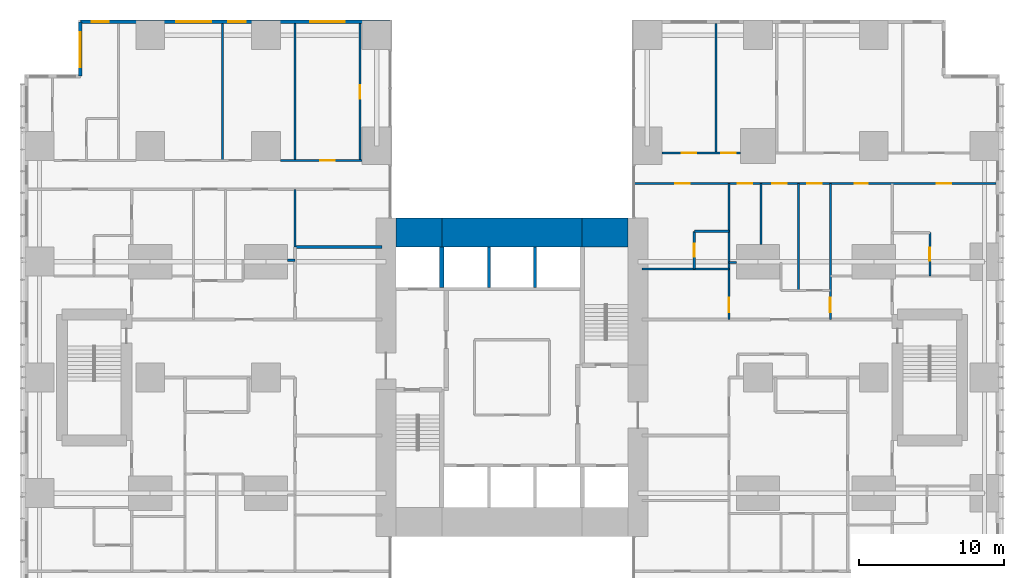
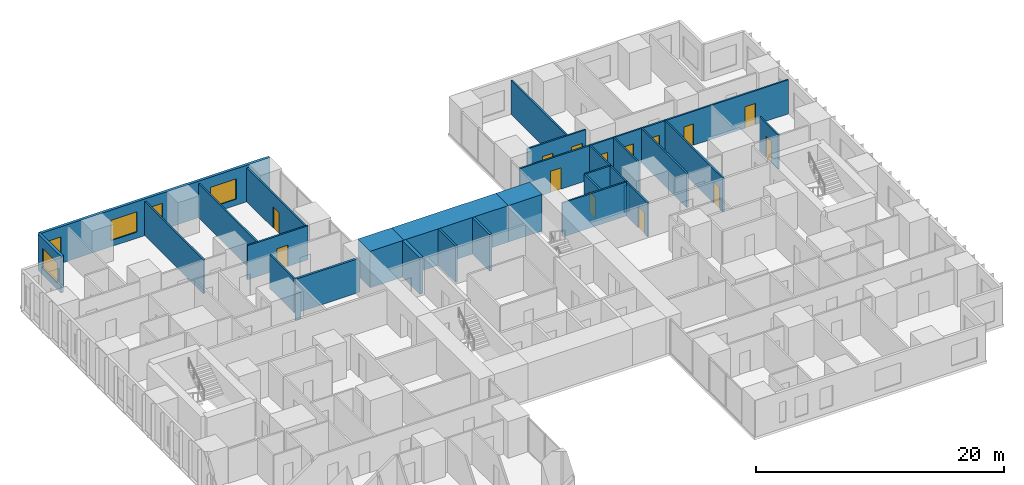
# One storey, part 17 of 20: 27 walls, 14 doors, 5 windows, 19 openings.
"""IFC4 building model written with IfcOpenShell, lengths in metres."""

from ifc_helpers import new_model, si_unit, direction, frame, frame_2d, origin, place, context, subcontext, project, spatial, rectangle, extrude, material, layer, layer_set, type_object, element, fill, save


model = new_model("IFC4")

# Units and contexts
model_context = context("Model", 3, precision=1e-05, world=origin(), true_north=direction((0.0, 1.0)))
body_context = subcontext(model_context, "Body", "Model", "MODEL_VIEW")
ifc_project = project(units=[si_unit("LENGTHUNIT", "METRE"), si_unit("AREAUNIT", "SQUARE_METRE"), si_unit("VOLUMEUNIT", "CUBIC_METRE"), si_unit("PLANEANGLEUNIT", "RADIAN"), si_unit("MASSUNIT", "GRAM", prefix="KILO")], contexts=[model_context])

# Site, building, storey
site_placement = place(None, origin())
site = spatial("IfcSite", under=ifc_project, at=site_placement, CompositionType="ELEMENT")
building_placement = place(site_placement, origin())
building = spatial("IfcBuilding", under=site, at=building_placement, Name="Cleftline Residences", CompositionType="ELEMENT")
storey_placement = place(building_placement, frame((0.0, 0.0, 33.199951171875)))
storey = spatial("IfcBuildingStorey", under=building, at=storey_placement, Name="L07", CompositionType="ELEMENT", Elevation=33.199951171875)

# Walls
ifc_material_1 = material(Name="Concrete B70", Category="concrete")
ifc_layer_1 = layer(ifc_material_1, 2.0)
ifc_layer_set_1 = layer_set([ifc_layer_1], Name="CORE WALL 2000")
wall_type_1 = type_object("IfcWallType", Name="CORE WALL 2000", PredefinedType="SHEAR", material=ifc_layer_set_1)
wall_1_placement = place(storey_placement, frame((25.0, 34.0, 0.0), z_axis=(0.0, 0.0, 1.0), x_axis=(1.0, 0.0, 0.0)))
element("IfcWall", 1, at=wall_1_placement, inside=storey, type_object=wall_type_1, Name="Core wall N1", PredefinedType="SHEAR", context=body_context, shape_type="SweptSolid", body=[
    extrude(rectangle(XDim=3.14990234375, YDim=2.0, at=frame_2d((1.574951171875, 0.0))), origin(), (0.0, 0.0, 1.0), 3.60009765625),
])
wall_2_placement = place(storey_placement, frame((28.14990234375, 34.0, 0.0), z_axis=(0.0, 0.0, 1.0), x_axis=(1.0, 0.0, 0.0)))
element("IfcWall", 2, at=wall_2_placement, inside=storey, type_object=wall_type_1, Name="Core wall N2", PredefinedType="SHEAR", context=body_context, shape_type="SweptSolid", body=[
    extrude(rectangle(XDim=9.7001953125, YDim=2.0, at=frame_2d((4.85009765625, 0.0))), origin(), (0.0, 0.0, 1.0), 3.60009765625),
])
wall_3_placement = place(storey_placement, frame((37.85009765625, 34.0, 0.0), z_axis=(0.0, 0.0, 1.0), x_axis=(1.0, 0.0, 0.0)))
element("IfcWall", 3, at=wall_3_placement, inside=storey, type_object=wall_type_1, Name="Core wall N3", PredefinedType="SHEAR", context=body_context, shape_type="SweptSolid", body=[
    extrude(rectangle(XDim=3.14990234375, YDim=2.0, at=frame_2d((1.574951171875, 0.0))), origin(), (0.0, 0.0, 1.0), 3.60009765625),
])
ifc_material_2 = material(Name="Concrete B70", Category="concrete")
ifc_layer_2 = layer(ifc_material_2, 0.300048828125)
ifc_layer_set_2 = layer_set([ifc_layer_2], Name="CORE WALL 300")
wall_type_2 = type_object("IfcWallType", Name="CORE WALL 300", PredefinedType="SHEAR", material=ifc_layer_set_2)
wall_4_placement = place(storey_placement, frame((28.14990234375, 30.199951171875, 0.0), z_axis=(0.0, 0.0, 1.0), x_axis=(0.0, 1.0, 0.0)))
element("IfcWall", 4, at=wall_4_placement, inside=storey, type_object=wall_type_2, Name="Lift shaft wall", PredefinedType="SHEAR", context=body_context, shape_type="SweptSolid", body=[
    extrude(rectangle(XDim=2.800048828125, YDim=0.300048828125, at=frame_2d((1.39990234375, 0.0))), origin(), (0.0, 0.0, 1.0), 3.60009765625),
])

# Wall, openings, windows
ifc_material_3 = material(Name="Rendered reinforced concrete blockwork", Category="masonry")
ifc_layer_3 = layer(ifc_material_3, 0.25)
ifc_layer_set_3 = layer_set([ifc_layer_3], Name="EXTERNAL WALL 250")
wall_type_3 = type_object("IfcWallType", Name="EXTERNAL WALL 250", PredefinedType="SOLIDWALL", material=ifc_layer_set_3)
wall_5_placement = place(storey_placement, frame((24.574951171875, 48.574951171875, 0.0), z_axis=(0.0, 0.0, 1.0), x_axis=(-1.0, 0.0, 0.0)))
wall_5 = element("IfcWall", 5, at=wall_5_placement, inside=storey, type_object=wall_type_3, Name="External wall", PredefinedType="SOLIDWALL", context=body_context, shape_type="SweptSolid", body=[
    extrude(rectangle(XDim=21.39990234375, YDim=0.25, at=frame_2d((10.699951171875, 0.0))), origin(), (0.0, 0.0, 1.0), 3.60009765625),
])
opening_1_placement = place(wall_5_placement, frame((3.125, 0.0, 0.60009765625)))
opening_1 = element("IfcOpeningElement", 6, at=opening_1_placement, cuts=wall_5, Name="Opening W6", PredefinedType="OPENING", context=body_context, shape_type="SweptSolid", body=[
    extrude(rectangle(XDim=2.39990234375, YDim=2.0, at=frame_2d((1.199951171875, 1.0))), frame((0.0, 0.135009765625, 0.0), z_axis=(0.0, -1.0, 0.0), x_axis=(1.0, 0.0, 0.0)), (0.0, 0.0, 1.0), 0.27001953125),
])
opening_2_placement = place(wall_5_placement, frame((9.97509765625, 0.0, 0.60009765625)))
opening_2 = element("IfcOpeningElement", 7, at=opening_2_placement, cuts=wall_5, Name="Opening W8", PredefinedType="OPENING", context=body_context, shape_type="SweptSolid", body=[
    extrude(rectangle(XDim=1.199951171875, YDim=2.0, at=frame_2d((0.60009765625, 1.0))), frame((0.0, 0.135009765625, 0.0), z_axis=(0.0, -1.0, 0.0), x_axis=(1.0, 0.0, 0.0)), (0.0, 0.0, 1.0), 0.27001953125),
])
opening_3_placement = place(wall_5_placement, frame((12.375, 0.0, 0.60009765625)))
opening_3 = element("IfcOpeningElement", 8, at=opening_3_placement, cuts=wall_5, Name="Opening W6", PredefinedType="OPENING", context=body_context, shape_type="SweptSolid", body=[
    extrude(rectangle(XDim=2.39990234375, YDim=2.0, at=frame_2d((1.199951171875, 1.0))), frame((0.0, 0.135009765625, 0.0), z_axis=(0.0, -1.0, 0.0), x_axis=(1.0, 0.0, 0.0)), (0.0, 0.0, 1.0), 0.27001953125),
])
opening_4_placement = place(wall_5_placement, frame((19.425048828125, 0.0, 0.60009765625)))
opening_4 = element("IfcOpeningElement", 9, at=opening_4_placement, cuts=wall_5, Name="Opening W8", PredefinedType="OPENING", context=body_context, shape_type="SweptSolid", body=[
    extrude(rectangle(XDim=1.199951171875, YDim=2.0, at=frame_2d((0.60009765625, 1.0))), frame((0.0, 0.135009765625, 0.0), z_axis=(0.0, -1.0, 0.0), x_axis=(1.0, 0.0, 0.0)), (0.0, 0.0, 1.0), 0.27001953125),
])
ifc_material_4 = material(Name="Aluminium frame, clear double glazing", Category="aluminium")
window_type_1 = type_object("IfcWindowType", Name="WINDOW 1200X2000", PartitioningType="DOUBLE_PANEL_VERTICAL", PredefinedType="WINDOW", material=ifc_material_4)
window_1_placement = place(opening_2_placement, origin())
window_1 = element("IfcWindow", 10, at=window_1_placement, inside=storey, type_object=window_type_1, Name="Window", OverallHeight=2.0, OverallWidth=1.199951171875, PartitioningType="SINGLE_PANEL", PredefinedType="WINDOW", context=body_context, shape_type="SweptSolid", body=[
    extrude(rectangle(XDim=1.199951171875, YDim=2.0, at=frame_2d((0.60009765625, 1.0))), frame((0.0, 0.030029296875, 0.0), z_axis=(0.0, -1.0, 0.0), x_axis=(1.0, 0.0, 0.0)), (0.0, 0.0, 1.0), 0.06005859375),
])
fill(opening_2, window_1)
window_2_placement = place(opening_4_placement, origin())
window_2 = element("IfcWindow", 11, at=window_2_placement, inside=storey, type_object=window_type_1, Name="Window", OverallHeight=2.0, OverallWidth=1.199951171875, PartitioningType="SINGLE_PANEL", PredefinedType="WINDOW", context=body_context, shape_type="SweptSolid", body=[
    extrude(rectangle(XDim=1.199951171875, YDim=2.0, at=frame_2d((0.60009765625, 1.0))), frame((0.0, 0.030029296875, 0.0), z_axis=(0.0, -1.0, 0.0), x_axis=(1.0, 0.0, 0.0)), (0.0, 0.0, 1.0), 0.06005859375),
])
fill(opening_4, window_2)
ifc_material_5 = material(Name="Aluminium frame, clear double glazing", Category="aluminium")
window_type_2 = type_object("IfcWindowType", Name="WINDOW 2400X2000", PartitioningType="DOUBLE_PANEL_VERTICAL", PredefinedType="WINDOW", material=ifc_material_5)
window_3_placement = place(opening_1_placement, origin())
window_3 = element("IfcWindow", 12, at=window_3_placement, inside=storey, type_object=window_type_2, Name="Window", OverallHeight=2.0, OverallWidth=2.39990234375, PartitioningType="SINGLE_PANEL", PredefinedType="WINDOW", context=body_context, shape_type="SweptSolid", body=[
    extrude(rectangle(XDim=2.39990234375, YDim=2.0, at=frame_2d((1.199951171875, 1.0))), frame((0.0, 0.030029296875, 0.0), z_axis=(0.0, -1.0, 0.0), x_axis=(1.0, 0.0, 0.0)), (0.0, 0.0, 1.0), 0.06005859375),
])
fill(opening_1, window_3)
window_4_placement = place(opening_3_placement, origin())
window_4 = element("IfcWindow", 13, at=window_4_placement, inside=storey, type_object=window_type_2, Name="Window", OverallHeight=2.0, OverallWidth=2.39990234375, PartitioningType="SINGLE_PANEL", PredefinedType="WINDOW", context=body_context, shape_type="SweptSolid", body=[
    extrude(rectangle(XDim=2.39990234375, YDim=2.0, at=frame_2d((1.199951171875, 1.0))), frame((0.0, 0.030029296875, 0.0), z_axis=(0.0, -1.0, 0.0), x_axis=(1.0, 0.0, 0.0)), (0.0, 0.0, 1.0), 0.06005859375),
])
fill(opening_3, window_4)

# Wall, opening, window
wall_6_placement = place(storey_placement, frame((3.175048828125, 48.574951171875, 0.0), z_axis=(0.0, 0.0, 1.0), x_axis=(0.0, -1.0, 0.0)))
wall_6 = element("IfcWall", 14, at=wall_6_placement, inside=storey, type_object=wall_type_3, Name="External wall", PredefinedType="SOLIDWALL", context=body_context, shape_type="SweptSolid", body=[
    extrude(rectangle(XDim=3.75, YDim=0.25, at=frame_2d((1.875, 0.0))), origin(), (0.0, 0.0, 1.0), 3.60009765625),
])
opening_5_placement = place(wall_6_placement, frame((0.737548828125, 0.0, 0.60009765625)))
opening_5 = element("IfcOpeningElement", 15, at=opening_5_placement, cuts=wall_6, Name="Opening W6", PredefinedType="OPENING", context=body_context, shape_type="SweptSolid", body=[
    extrude(rectangle(XDim=2.39990234375, YDim=2.0, at=frame_2d((1.199951171875, 1.0))), frame((0.0, 0.135009765625, 0.0), z_axis=(0.0, -1.0, 0.0), x_axis=(1.0, 0.0, 0.0)), (0.0, 0.0, 1.0), 0.27001953125),
])
window_5_placement = place(opening_5_placement, origin())
window_5 = element("IfcWindow", 16, at=window_5_placement, inside=storey, type_object=window_type_2, Name="Window", OverallHeight=2.0, OverallWidth=2.39990234375, PartitioningType="SINGLE_PANEL", PredefinedType="WINDOW", context=body_context, shape_type="SweptSolid", body=[
    extrude(rectangle(XDim=2.39990234375, YDim=2.0, at=frame_2d((1.199951171875, 1.0))), frame((0.0, 0.030029296875, 0.0), z_axis=(0.0, -1.0, 0.0), x_axis=(1.0, 0.0, 0.0)), (0.0, 0.0, 1.0), 0.06005859375),
])
fill(opening_5, window_5)

# Walls
ifc_material_6 = material(Name="Concrete blockwork, fire rated", Category="masonry")
ifc_layer_4 = layer(ifc_material_6, 0.199951171875)
ifc_layer_set_4 = layer_set([ifc_layer_4], Name="FIRE WALL 200")
wall_type_4 = type_object("IfcWallType", Name="FIRE WALL 200", PredefinedType="PARTITIONING", material=ifc_layer_set_4)
wall_7_placement = place(storey_placement, frame((18.0, 33.0, 0.0), z_axis=(0.0, 0.0, 1.0), x_axis=(1.0, 0.0, 0.0)))
element("IfcWall", 17, at=wall_7_placement, inside=storey, type_object=wall_type_4, Name="Fire separating wall", PredefinedType="PARTITIONING", context=body_context, shape_type="SweptSolid", body=[
    extrude(rectangle(XDim=6.0, YDim=0.199951171875, at=frame_2d((3.0, 0.0))), origin(), (0.0, 0.0, 1.0), 3.35009765625),
])
ifc_material_7 = material(Name="Gypsum board on steel studs", Category="steel")
ifc_layer_5 = layer(ifc_material_7, 0.14990234375)
ifc_layer_set_5 = layer_set([ifc_layer_5], Name="PARTITION 150")
wall_type_5 = type_object("IfcWallType", Name="PARTITION 150", PredefinedType="PARTITIONING", material=ifc_layer_set_5)
wall_8_placement = place(storey_placement, frame((42.0, 31.5, 0.0), z_axis=(0.0, 0.0, 1.0), x_axis=(1.0, 0.0, 0.0)))
element("IfcWall", 18, at=wall_8_placement, inside=storey, type_object=wall_type_5, Name="Partition", PredefinedType="PARTITIONING", context=body_context, shape_type="SweptSolid", body=[
    extrude(rectangle(XDim=6.0, YDim=0.14990234375, at=frame_2d((3.0, 0.0))), origin(), (0.0, 0.0, 1.0), 3.35009765625),
])
for number, where, z_axis, x_axis, name in (
    (19, (48.0, 31.949951171875, 0.0), (0.0, 0.0, 1.0), (1.0, 0.0, 0.0), "Partition"),
    (20, (17.5, 32.10009765625, 0.0), (0.0, 0.0, 1.0), (1.0, 0.0, 0.0), "Partition"),
):
    element("IfcWall", number, at=place(storey_placement, frame(where, z_axis=z_axis, x_axis=x_axis)), inside=storey, type_object=wall_type_5, Name=name, PredefinedType="PARTITIONING", context=body_context, shape_type="SweptSolid", body=[
        extrude(rectangle(XDim=0.5, YDim=0.14990234375, at=frame_2d((0.25, 0.0))), origin(), (0.0, 0.0, 1.0), 2.634033203125),
    ])
wall_9_placement = place(storey_placement, frame((45.60009765625, 34.10009765625, 0.0), z_axis=(0.0, 0.0, 1.0), x_axis=(1.0, 0.0, 0.0)))
element("IfcWall", 21, at=wall_9_placement, inside=storey, type_object=wall_type_5, Name="Partition", PredefinedType="PARTITIONING", context=body_context, shape_type="SweptSolid", body=[
    extrude(rectangle(XDim=2.39990234375, YDim=0.14990234375, at=frame_2d((1.199951171875, 0.0))), origin(), (0.0, 0.0, 1.0), 3.35009765625),
])

# Wall, openings, doors
wall_10_placement = place(storey_placement, frame((41.43896484375, 37.39990234375, 0.0), z_axis=(0.0, 0.0, 1.0), x_axis=(1.0, 0.0, 0.0)))
wall_10 = element("IfcWall", 22, at=wall_10_placement, inside=storey, type_object=wall_type_5, Name="Partition", PredefinedType="PARTITIONING", context=body_context, shape_type="SweptSolid", body=[
    extrude(rectangle(XDim=25.010986328125, YDim=0.14990234375, at=frame_2d((12.50537109375, 0.0))), origin(), (0.0, 0.0, 1.0), 3.35009765625),
])
opening_6_placement = place(wall_10_placement, frame((11.9609375, 0.0, 0.0)))
opening_6 = element("IfcOpeningElement", 23, at=opening_6_placement, cuts=wall_10, Name="Opening D2F30", PredefinedType="OPENING", context=body_context, shape_type="SweptSolid", body=[
    extrude(rectangle(XDim=1.0, YDim=2.10009765625, at=frame_2d((0.5, 1.050048828125))), frame((0.0, 0.0849609375, 0.0), z_axis=(0.0, -1.0, 0.0), x_axis=(1.0, 0.0, 0.0)), (0.0, 0.0, 1.0), 0.169921875),
])
opening_7_placement = place(wall_10_placement, frame((20.923583984375, 0.0, 0.0)))
opening_7 = element("IfcOpeningElement", 24, at=opening_7_placement, cuts=wall_10, Name="Opening D2F30", PredefinedType="OPENING", context=body_context, shape_type="SweptSolid", body=[
    extrude(rectangle(XDim=1.0, YDim=2.10009765625, at=frame_2d((0.5, 1.050048828125))), frame((0.0, 0.0849609375, 0.0), z_axis=(0.0, -1.0, 0.0), x_axis=(1.0, 0.0, 0.0)), (0.0, 0.0, 1.0), 0.169921875),
])
opening_8_placement = place(wall_10_placement, frame((15.24853515625, 0.0, 0.0)))
opening_8 = element("IfcOpeningElement", 25, at=opening_8_placement, cuts=wall_10, Name="Opening D1F30", PredefinedType="OPENING", context=body_context, shape_type="SweptSolid", body=[
    extrude(rectangle(XDim=0.89990234375, YDim=2.10009765625, at=frame_2d((0.449951171875, 1.050048828125))), frame((0.0, 0.0849609375, 0.0), z_axis=(0.0, -1.0, 0.0), x_axis=(1.0, 0.0, 0.0)), (0.0, 0.0, 1.0), 0.169921875),
])
opening_9_placement = place(wall_10_placement, frame((9.56103515625, 0.0, 0.0)))
opening_9 = element("IfcOpeningElement", 26, at=opening_9_placement, cuts=wall_10, Name="Opening D2F30", PredefinedType="OPENING", context=body_context, shape_type="SweptSolid", body=[
    extrude(rectangle(XDim=1.0, YDim=2.10009765625, at=frame_2d((0.5, 1.050048828125))), frame((0.0, 0.0849609375, 0.0), z_axis=(0.0, -1.0, 0.0), x_axis=(1.0, 0.0, 0.0)), (0.0, 0.0, 1.0), 0.169921875),
])
opening_10_placement = place(wall_10_placement, frame((7.160888671875, 0.0, 0.0)))
opening_10 = element("IfcOpeningElement", 27, at=opening_10_placement, cuts=wall_10, Name="Opening D2F30", PredefinedType="OPENING", context=body_context, shape_type="SweptSolid", body=[
    extrude(rectangle(XDim=1.0, YDim=2.10009765625, at=frame_2d((0.5, 1.050048828125))), frame((0.0, 0.0849609375, 0.0), z_axis=(0.0, -1.0, 0.0), x_axis=(1.0, 0.0, 0.0)), (0.0, 0.0, 1.0), 0.169921875),
])
opening_11_placement = place(wall_10_placement, frame((2.8359375, 0.0, 0.0)))
opening_11 = element("IfcOpeningElement", 28, at=opening_11_placement, cuts=wall_10, Name="Opening D2F30", PredefinedType="OPENING", context=body_context, shape_type="SweptSolid", body=[
    extrude(rectangle(XDim=1.0, YDim=2.10009765625, at=frame_2d((0.5, 1.050048828125))), frame((0.0, 0.0849609375, 0.0), z_axis=(0.0, -1.0, 0.0), x_axis=(1.0, 0.0, 0.0)), (0.0, 0.0, 1.0), 0.169921875),
])
ifc_material_8 = material(Name="Timber veneer on solid core", Category="wood")
door_type_1 = type_object("IfcDoorType", Name="DOOR 1000X2100 EI 30", OperationType="SINGLE_SWING_LEFT", PredefinedType="DOOR", material=ifc_material_8)
door_1_placement = place(opening_6_placement, origin())
door_1 = element("IfcDoor", 29, at=door_1_placement, inside=storey, type_object=door_type_1, Name="Door to residence hall (gallery)", OperationType="SINGLE_SWING_RIGHT", OverallHeight=2.10009765625, OverallWidth=1.0, PredefinedType="DOOR", context=body_context, shape_type="SweptSolid", body=[
    extrude(rectangle(XDim=1.0, YDim=2.10009765625, at=frame_2d((0.5, 1.050048828125))), frame((0.0, 0.02490234375, 0.0), z_axis=(0.0, -1.0, 0.0), x_axis=(1.0, 0.0, 0.0)), (0.0, 0.0, 1.0), 0.050048828125),
])
fill(opening_6, door_1)
door_2_placement = place(opening_7_placement, origin())
door_2 = element("IfcDoor", 30, at=door_2_placement, inside=storey, type_object=door_type_1, Name="Door to master bedroom", OperationType="SINGLE_SWING_LEFT", OverallHeight=2.10009765625, OverallWidth=1.0, PredefinedType="DOOR", context=body_context, shape_type="SweptSolid", body=[
    extrude(rectangle(XDim=1.0, YDim=2.10009765625, at=frame_2d((0.5, 1.050048828125))), frame((0.0, 0.02490234375, 0.0), z_axis=(0.0, -1.0, 0.0), x_axis=(1.0, 0.0, 0.0)), (0.0, 0.0, 1.0), 0.050048828125),
])
fill(opening_7, door_2)
door_3_placement = place(opening_9_placement, origin())
door_3 = element("IfcDoor", 31, at=door_3_placement, inside=storey, type_object=door_type_1, Name="Door to dining room", OperationType="SINGLE_SWING_RIGHT", OverallHeight=2.10009765625, OverallWidth=1.0, PredefinedType="DOOR", context=body_context, shape_type="SweptSolid", body=[
    extrude(rectangle(XDim=1.0, YDim=2.10009765625, at=frame_2d((0.5, 1.050048828125))), frame((0.0, 0.02490234375, 0.0), z_axis=(0.0, -1.0, 0.0), x_axis=(1.0, 0.0, 0.0)), (0.0, 0.0, 1.0), 0.050048828125),
])
fill(opening_9, door_3)
door_4_placement = place(opening_10_placement, origin())
door_4 = element("IfcDoor", 32, at=door_4_placement, inside=storey, type_object=door_type_1, Name="Door to show kitchen", OperationType="SINGLE_SWING_RIGHT", OverallHeight=2.10009765625, OverallWidth=1.0, PredefinedType="DOOR", context=body_context, shape_type="SweptSolid", body=[
    extrude(rectangle(XDim=1.0, YDim=2.10009765625, at=frame_2d((0.5, 1.050048828125))), frame((0.0, 0.02490234375, 0.0), z_axis=(0.0, -1.0, 0.0), x_axis=(1.0, 0.0, 0.0)), (0.0, 0.0, 1.0), 0.050048828125),
])
fill(opening_10, door_4)
door_5_placement = place(opening_11_placement, origin())
door_5 = element("IfcDoor", 33, at=door_5_placement, inside=storey, type_object=door_type_1, Name="Door to bedroom 3", OperationType="SINGLE_SWING_RIGHT", OverallHeight=2.10009765625, OverallWidth=1.0, PredefinedType="DOOR", context=body_context, shape_type="SweptSolid", body=[
    extrude(rectangle(XDim=1.0, YDim=2.10009765625, at=frame_2d((0.5, 1.050048828125))), frame((0.0, 0.02490234375, 0.0), z_axis=(0.0, -1.0, 0.0), x_axis=(1.0, 0.0, 0.0)), (0.0, 0.0, 1.0), 0.050048828125),
])
fill(opening_11, door_5)
ifc_material_9 = material(Name="Timber veneer on solid core", Category="wood")
door_type_2 = type_object("IfcDoorType", Name="DOOR 900X2100 EI 30", OperationType="SINGLE_SWING_LEFT", PredefinedType="DOOR", material=ifc_material_9)
door_6_placement = place(opening_8_placement, origin())
door_6 = element("IfcDoor", 34, at=door_6_placement, inside=storey, type_object=door_type_2, Name="Door to guest bathroom", OperationType="SINGLE_SWING_LEFT", OverallHeight=2.10009765625, OverallWidth=0.89990234375, PredefinedType="DOOR", context=body_context, shape_type="SweptSolid", body=[
    extrude(rectangle(XDim=0.89990234375, YDim=2.10009765625, at=frame_2d((0.449951171875, 1.050048828125))), frame((0.0, 0.02490234375, 0.0), z_axis=(0.0, -1.0, 0.0), x_axis=(1.0, 0.0, 0.0)), (0.0, 0.0, 1.0), 0.050048828125),
])
fill(opening_8, door_6)

# Wall, opening, door
wall_11_placement = place(storey_placement, frame((17.0, 39.0, 0.0), z_axis=(0.0, 0.0, 1.0), x_axis=(1.0, 0.0, 0.0)))
wall_11 = element("IfcWall", 35, at=wall_11_placement, inside=storey, type_object=wall_type_5, Name="Partition", PredefinedType="PARTITIONING", context=body_context, shape_type="SweptSolid", body=[
    extrude(rectangle(XDim=5.64990234375, YDim=0.14990234375, at=frame_2d((2.824951171875, 0.0))), origin(), (0.0, 0.0, 1.0), 3.35009765625),
])
opening_12_placement = place(wall_11_placement, frame((2.75, 0.0, 0.0)))
opening_12 = element("IfcOpeningElement", 36, at=opening_12_placement, cuts=wall_11, Name="Opening D2", PredefinedType="OPENING", context=body_context, shape_type="SweptSolid", body=[
    extrude(rectangle(XDim=1.0, YDim=2.10009765625, at=frame_2d((0.5, 1.050048828125))), frame((0.0, 0.0849609375, 0.0), z_axis=(0.0, -1.0, 0.0), x_axis=(1.0, 0.0, 0.0)), (0.0, 0.0, 1.0), 0.169921875),
])
ifc_material_10 = material(Name="Timber veneer on solid core", Category="wood")
door_type_3 = type_object("IfcDoorType", Name="DOOR 1000X2100", OperationType="SINGLE_SWING_LEFT", PredefinedType="DOOR", material=ifc_material_10)
door_7_placement = place(opening_12_placement, origin())
door_7 = element("IfcDoor", 37, at=door_7_placement, inside=storey, type_object=door_type_3, Name="Door to show kitchen", OperationType="SINGLE_SWING_LEFT", OverallHeight=2.10009765625, OverallWidth=1.0, PredefinedType="DOOR", context=body_context, shape_type="SweptSolid", body=[
    extrude(rectangle(XDim=1.0, YDim=2.10009765625, at=frame_2d((0.5, 1.050048828125))), frame((0.0, 0.02490234375, 0.0), z_axis=(0.0, -1.0, 0.0), x_axis=(1.0, 0.0, 0.0)), (0.0, 0.0, 1.0), 0.050048828125),
])
fill(opening_12, door_7)

# Wall, openings, doors
wall_12_placement = place(storey_placement, frame((43.35009765625, 39.5, 0.0), z_axis=(0.0, 0.0, 1.0), x_axis=(1.0, 0.0, 0.0)))
wall_12 = element("IfcWall", 38, at=wall_12_placement, inside=storey, type_object=wall_type_5, Name="Partition", PredefinedType="PARTITIONING", context=body_context, shape_type="SweptSolid", body=[
    extrude(rectangle(XDim=5.449951171875, YDim=0.14990234375, at=frame_2d((2.72509765625, 0.0))), origin(), (0.0, 0.0, 1.0), 3.35009765625),
])
opening_13_placement = place(wall_12_placement, frame((4.10009765625, 0.0, 0.0)))
opening_13 = element("IfcOpeningElement", 39, at=opening_13_placement, cuts=wall_12, Name="Opening D2", PredefinedType="OPENING", context=body_context, shape_type="SweptSolid", body=[
    extrude(rectangle(XDim=1.0, YDim=2.10009765625, at=frame_2d((0.5, 1.050048828125))), frame((0.0, 0.0849609375, 0.0), z_axis=(0.0, -1.0, 0.0), x_axis=(1.0, 0.0, 0.0)), (0.0, 0.0, 1.0), 0.169921875),
])
opening_14_placement = place(wall_12_placement, frame((1.375, 0.0, 0.0)))
opening_14 = element("IfcOpeningElement", 40, at=opening_14_placement, cuts=wall_12, Name="Opening D2", PredefinedType="OPENING", context=body_context, shape_type="SweptSolid", body=[
    extrude(rectangle(XDim=1.0, YDim=2.10009765625, at=frame_2d((0.5, 1.050048828125))), frame((0.0, 0.0849609375, 0.0), z_axis=(0.0, -1.0, 0.0), x_axis=(1.0, 0.0, 0.0)), (0.0, 0.0, 1.0), 0.169921875),
])
door_8_placement = place(opening_13_placement, origin())
door_8 = element("IfcDoor", 41, at=door_8_placement, inside=storey, type_object=door_type_3, Name="Door to bedroom 2", OperationType="SINGLE_SWING_LEFT", OverallHeight=2.10009765625, OverallWidth=1.0, PredefinedType="DOOR", context=body_context, shape_type="SweptSolid", body=[
    extrude(rectangle(XDim=1.0, YDim=2.10009765625, at=frame_2d((0.5, 1.050048828125))), frame((0.0, 0.02490234375, 0.0), z_axis=(0.0, -1.0, 0.0), x_axis=(1.0, 0.0, 0.0)), (0.0, 0.0, 1.0), 0.050048828125),
])
fill(opening_13, door_8)
door_9_placement = place(opening_14_placement, origin())
door_9 = element("IfcDoor", 42, at=door_9_placement, inside=storey, type_object=door_type_3, Name="Door to bedroom 2 sitting room", OperationType="SINGLE_SWING_RIGHT", OverallHeight=2.10009765625, OverallWidth=1.0, PredefinedType="DOOR", context=body_context, shape_type="SweptSolid", body=[
    extrude(rectangle(XDim=1.0, YDim=2.10009765625, at=frame_2d((0.5, 1.050048828125))), frame((0.0, 0.02490234375, 0.0), z_axis=(0.0, -1.0, 0.0), x_axis=(1.0, 0.0, 0.0)), (0.0, 0.0, 1.0), 0.050048828125),
])
fill(opening_14, door_9)

# Walls
wall_13_placement = place(storey_placement, frame((13.0, 39.0, 0.0), z_axis=(0.0, 0.0, 1.0), x_axis=(0.0, 1.0, 0.0)))
element("IfcWall", 43, at=wall_13_placement, inside=storey, type_object=wall_type_5, Name="Partition", PredefinedType="PARTITIONING", context=body_context, shape_type="SweptSolid", body=[
    extrude(rectangle(XDim=9.449951171875, YDim=0.14990234375, at=frame_2d((4.72509765625, 0.0))), origin(), (0.0, 0.0, 1.0), 3.35009765625),
])
wall_14_placement = place(storey_placement, frame((18.0, 33.0, 0.0), z_axis=(0.0, 0.0, 1.0), x_axis=(0.0, 1.0, 0.0)))
element("IfcWall", 44, at=wall_14_placement, inside=storey, type_object=wall_type_5, Name="Partition", PredefinedType="PARTITIONING", context=body_context, shape_type="SweptSolid", body=[
    extrude(rectangle(XDim=4.0, YDim=0.14990234375, at=frame_2d((2.0, 0.0))), origin(), (0.0, 0.0, 1.0), 3.35009765625),
])
wall_15_placement = place(storey_placement, frame((18.0, 39.0, 0.0), z_axis=(0.0, 0.0, 1.0), x_axis=(0.0, 1.0, 0.0)))
element("IfcWall", 45, at=wall_15_placement, inside=storey, type_object=wall_type_5, Name="Partition", PredefinedType="PARTITIONING", context=body_context, shape_type="SweptSolid", body=[
    extrude(rectangle(XDim=9.449951171875, YDim=0.14990234375, at=frame_2d((4.72509765625, 0.0))), origin(), (0.0, 0.0, 1.0), 3.35009765625),
])

# Wall, opening, door
wall_16_placement = place(storey_placement, frame((22.5, 39.0, 0.0), z_axis=(0.0, 0.0, 1.0), x_axis=(0.0, 1.0, 0.0)))
wall_16 = element("IfcWall", 46, at=wall_16_placement, inside=storey, type_object=wall_type_5, Name="Partition", PredefinedType="PARTITIONING", context=body_context, shape_type="SweptSolid", body=[
    extrude(rectangle(XDim=9.449951171875, YDim=0.14990234375, at=frame_2d((4.72509765625, 0.0))), origin(), (0.0, 0.0, 1.0), 3.35009765625),
])
opening_15_placement = place(wall_16_placement, frame((4.27490234375, 0.0, 0.0)))
opening_15 = element("IfcOpeningElement", 47, at=opening_15_placement, cuts=wall_16, Name="Opening D1", PredefinedType="OPENING", context=body_context, shape_type="SweptSolid", body=[
    extrude(rectangle(XDim=0.89990234375, YDim=2.10009765625, at=frame_2d((0.449951171875, 1.050048828125))), frame((0.0, 0.0849609375, 0.0), z_axis=(0.0, -1.0, 0.0), x_axis=(1.0, 0.0, 0.0)), (0.0, 0.0, 1.0), 0.169921875),
])
ifc_material_11 = material(Name="Timber veneer on solid core", Category="wood")
door_type_4 = type_object("IfcDoorType", Name="DOOR 900X2100", OperationType="SINGLE_SWING_LEFT", PredefinedType="DOOR", material=ifc_material_11)
door_10_placement = place(opening_15_placement, origin())
door_10 = element("IfcDoor", 48, at=door_10_placement, inside=storey, type_object=door_type_4, Name="Door to kitchen store", OperationType="SINGLE_SWING_LEFT", OverallHeight=2.10009765625, OverallWidth=0.89990234375, PredefinedType="DOOR", context=body_context, shape_type="SweptSolid", body=[
    extrude(rectangle(XDim=0.89990234375, YDim=2.10009765625, at=frame_2d((0.449951171875, 1.050048828125))), frame((0.0, 0.02490234375, 0.0), z_axis=(0.0, -1.0, 0.0), x_axis=(1.0, 0.0, 0.0)), (0.0, 0.0, 1.0), 0.050048828125),
])
fill(opening_15, door_10)

wall_17_placement = place(storey_placement, frame((45.60009765625, 31.5, 0.0), z_axis=(0.0, 0.0, 1.0), x_axis=(0.0, 1.0, 0.0)))
wall_17 = element("IfcWall", 49, at=wall_17_placement, inside=storey, type_object=wall_type_5, Name="Partition", PredefinedType="PARTITIONING", context=body_context, shape_type="SweptSolid", body=[
    extrude(rectangle(XDim=2.60009765625, YDim=0.14990234375, at=frame_2d((1.300048828125, 0.0))), origin(), (0.0, 0.0, 1.0), 3.35009765625),
])
opening_16_placement = place(wall_17_placement, frame((0.85009765625, 0.0, 0.0)))
opening_16 = element("IfcOpeningElement", 50, at=opening_16_placement, cuts=wall_17, Name="Opening D1", PredefinedType="OPENING", context=body_context, shape_type="SweptSolid", body=[
    extrude(rectangle(XDim=0.89990234375, YDim=2.10009765625, at=frame_2d((0.449951171875, 1.050048828125))), frame((0.0, 0.0849609375, 0.0), z_axis=(0.0, -1.0, 0.0), x_axis=(1.0, 0.0, 0.0)), (0.0, 0.0, 1.0), 0.169921875),
])
door_11_placement = place(opening_16_placement, origin())
door_11 = element("IfcDoor", 51, at=door_11_placement, inside=storey, type_object=door_type_4, Name="Door to en-suite bathroom 3", OperationType="SINGLE_SWING_LEFT", OverallHeight=2.10009765625, OverallWidth=0.89990234375, PredefinedType="DOOR", context=body_context, shape_type="SweptSolid", body=[
    extrude(rectangle(XDim=0.89990234375, YDim=2.10009765625, at=frame_2d((0.449951171875, 1.050048828125))), frame((0.0, 0.02490234375, 0.0), z_axis=(0.0, -1.0, 0.0), x_axis=(1.0, 0.0, 0.0)), (0.0, 0.0, 1.0), 0.050048828125),
])
fill(opening_16, door_11)

# Wall
wall_18_placement = place(storey_placement, frame((47.10009765625, 39.5, 0.0), z_axis=(0.0, 0.0, 1.0), x_axis=(0.0, 1.0, 0.0)))
element("IfcWall", 52, at=wall_18_placement, inside=storey, type_object=wall_type_5, Name="Partition", PredefinedType="PARTITIONING", context=body_context, shape_type="SweptSolid", body=[
    extrude(rectangle(XDim=8.949951171875, YDim=0.14990234375, at=frame_2d((4.47509765625, 0.0))), origin(), (0.0, 0.0, 1.0), 3.35009765625),
])

# Wall, opening, door
wall_19_placement = place(storey_placement, frame((48.0, 28.0, 0.0), z_axis=(0.0, 0.0, 1.0), x_axis=(0.0, 1.0, 0.0)))
wall_19 = element("IfcWall", 53, at=wall_19_placement, inside=storey, type_object=wall_type_5, Name="Partition", PredefinedType="PARTITIONING", context=body_context, shape_type="SweptSolid", body=[
    extrude(rectangle(XDim=9.39990234375, YDim=0.14990234375, at=frame_2d((4.699951171875, 0.0))), origin(), (0.0, 0.0, 1.0), 3.35009765625),
])
opening_17_placement = place(wall_19_placement, frame((0.5, 0.0, 0.0)))
opening_17 = element("IfcOpeningElement", 54, at=opening_17_placement, cuts=wall_19, Name="Opening D2", PredefinedType="OPENING", context=body_context, shape_type="SweptSolid", body=[
    extrude(rectangle(XDim=1.0, YDim=2.10009765625, at=frame_2d((0.5, 1.050048828125))), frame((0.0, 0.0849609375, 0.0), z_axis=(0.0, -1.0, 0.0), x_axis=(1.0, 0.0, 0.0)), (0.0, 0.0, 1.0), 0.169921875),
])
door_12_placement = place(opening_17_placement, origin())
door_12 = element("IfcDoor", 55, at=door_12_placement, inside=storey, type_object=door_type_3, Name="Door to wet kitchen", OperationType="SINGLE_SWING_RIGHT", OverallHeight=2.10009765625, OverallWidth=1.0, PredefinedType="DOOR", context=body_context, shape_type="SweptSolid", body=[
    extrude(rectangle(XDim=1.0, YDim=2.10009765625, at=frame_2d((0.5, 1.050048828125))), frame((0.0, 0.02490234375, 0.0), z_axis=(0.0, -1.0, 0.0), x_axis=(1.0, 0.0, 0.0)), (0.0, 0.0, 1.0), 0.050048828125),
])
fill(opening_17, door_12)

# Walls
wall_20_placement = place(storey_placement, frame((50.199951171875, 33.199951171875, 0.0), z_axis=(0.0, 0.0, 1.0), x_axis=(0.0, 1.0, 0.0)))
element("IfcWall", 56, at=wall_20_placement, inside=storey, type_object=wall_type_5, Name="Partition", PredefinedType="PARTITIONING", context=body_context, shape_type="SweptSolid", body=[
    extrude(rectangle(XDim=4.199951171875, YDim=0.14990234375, at=frame_2d((2.10009765625, 0.0))), origin(), (0.0, 0.0, 1.0), 3.35009765625),
])
wall_21_placement = place(storey_placement, frame((52.800048828125, 30.0, 0.0), z_axis=(0.0, 0.0, 1.0), x_axis=(0.0, 1.0, 0.0)))
element("IfcWall", 57, at=wall_21_placement, inside=storey, type_object=wall_type_5, Name="Partition", PredefinedType="PARTITIONING", context=body_context, shape_type="SweptSolid", body=[
    extrude(rectangle(XDim=7.39990234375, YDim=0.14990234375, at=frame_2d((3.699951171875, 0.0))), origin(), (0.0, 0.0, 1.0), 3.35009765625),
])

# Wall, opening, door
wall_22_placement = place(storey_placement, frame((55.0, 28.0, 0.0), z_axis=(0.0, 0.0, 1.0), x_axis=(0.0, 1.0, 0.0)))
wall_22 = element("IfcWall", 58, at=wall_22_placement, inside=storey, type_object=wall_type_5, Name="Partition", PredefinedType="PARTITIONING", context=body_context, shape_type="SweptSolid", body=[
    extrude(rectangle(XDim=9.39990234375, YDim=0.14990234375, at=frame_2d((4.699951171875, 0.0))), origin(), (0.0, 0.0, 1.0), 3.35009765625),
])
opening_18_placement = place(wall_22_placement, frame((0.5, 0.0, 0.0)))
opening_18 = element("IfcOpeningElement", 59, at=opening_18_placement, cuts=wall_22, Name="Opening D2F30", PredefinedType="OPENING", context=body_context, shape_type="SweptSolid", body=[
    extrude(rectangle(XDim=1.0, YDim=2.10009765625, at=frame_2d((0.5, 1.050048828125))), frame((0.0, 0.0849609375, 0.0), z_axis=(0.0, -1.0, 0.0), x_axis=(1.0, 0.0, 0.0)), (0.0, 0.0, 1.0), 0.169921875),
])
door_13_placement = place(opening_18_placement, origin())
door_13 = element("IfcDoor", 60, at=door_13_placement, inside=storey, type_object=door_type_1, Name="Door to residence lobby", OperationType="SINGLE_SWING_RIGHT", OverallHeight=2.10009765625, OverallWidth=1.0, PredefinedType="DOOR", context=body_context, shape_type="SweptSolid", body=[
    extrude(rectangle(XDim=1.0, YDim=2.10009765625, at=frame_2d((0.5, 1.050048828125))), frame((0.0, 0.02490234375, 0.0), z_axis=(0.0, -1.0, 0.0), x_axis=(1.0, 0.0, 0.0)), (0.0, 0.0, 1.0), 0.050048828125),
])
fill(opening_18, door_13)

wall_23_placement = place(storey_placement, frame((61.875, 31.0, 0.0), z_axis=(0.0, 0.0, 1.0), x_axis=(0.0, 1.0, 0.0)))
wall_23 = element("IfcWall", 61, at=wall_23_placement, inside=storey, type_object=wall_type_5, Name="Partition", PredefinedType="PARTITIONING", context=body_context, shape_type="SweptSolid", body=[
    extrude(rectangle(XDim=3.0, YDim=0.14990234375, at=frame_2d((1.5, 0.0))), origin(), (0.0, 0.0, 1.0), 3.35009765625),
])
opening_19_placement = place(wall_23_placement, frame((1.050048828125, 0.0, 0.0)))
opening_19 = element("IfcOpeningElement", 62, at=opening_19_placement, cuts=wall_23, Name="Opening D1", PredefinedType="OPENING", context=body_context, shape_type="SweptSolid", body=[
    extrude(rectangle(XDim=0.89990234375, YDim=2.10009765625, at=frame_2d((0.449951171875, 1.050048828125))), frame((0.0, 0.0849609375, 0.0), z_axis=(0.0, -1.0, 0.0), x_axis=(1.0, 0.0, 0.0)), (0.0, 0.0, 1.0), 0.169921875),
])
door_14_placement = place(opening_19_placement, origin())
door_14 = element("IfcDoor", 63, at=door_14_placement, inside=storey, type_object=door_type_4, Name="Door to master bathroom", OperationType="SINGLE_SWING_LEFT", OverallHeight=2.10009765625, OverallWidth=0.89990234375, PredefinedType="DOOR", context=body_context, shape_type="SweptSolid", body=[
    extrude(rectangle(XDim=0.89990234375, YDim=2.10009765625, at=frame_2d((0.449951171875, 1.050048828125))), frame((0.0, 0.02490234375, 0.0), z_axis=(0.0, -1.0, 0.0), x_axis=(1.0, 0.0, 0.0)), (0.0, 0.0, 1.0), 0.050048828125),
])
fill(opening_19, door_14)

# Walls
ifc_material_12 = material(Name="Concrete blockwork, fire rated", Category="masonry")
ifc_layer_6 = layer(ifc_material_12, 0.199951171875)
ifc_layer_set_6 = layer_set([ifc_layer_6], Name="SHAFT WALL 200")
wall_type_6 = type_object("IfcWallType", Name="SHAFT WALL 200", PredefinedType="PARTITIONING", material=ifc_layer_set_6)
for number, where, z_axis, x_axis, name in (
    (64, (31.39990234375, 30.199951171875, 0.0), (0.0, 0.0, 1.0), (0.0, 1.0, 0.0), "Lift shaft wall"),
    (65, (34.60009765625, 30.199951171875, 0.0), (0.0, 0.0, 1.0), (0.0, 1.0, 0.0), "Lift shaft wall"),
):
    element("IfcWall", number, at=place(storey_placement, frame(where, z_axis=z_axis, x_axis=x_axis)), inside=storey, type_object=wall_type_6, Name=name, PredefinedType="PARTITIONING", context=body_context, shape_type="SweptSolid", body=[
        extrude(rectangle(XDim=2.800048828125, YDim=0.199951171875, at=frame_2d((1.39990234375, 0.0))), origin(), (0.0, 0.0, 1.0), 3.60009765625),
    ])

save(model, "model.ifc")
